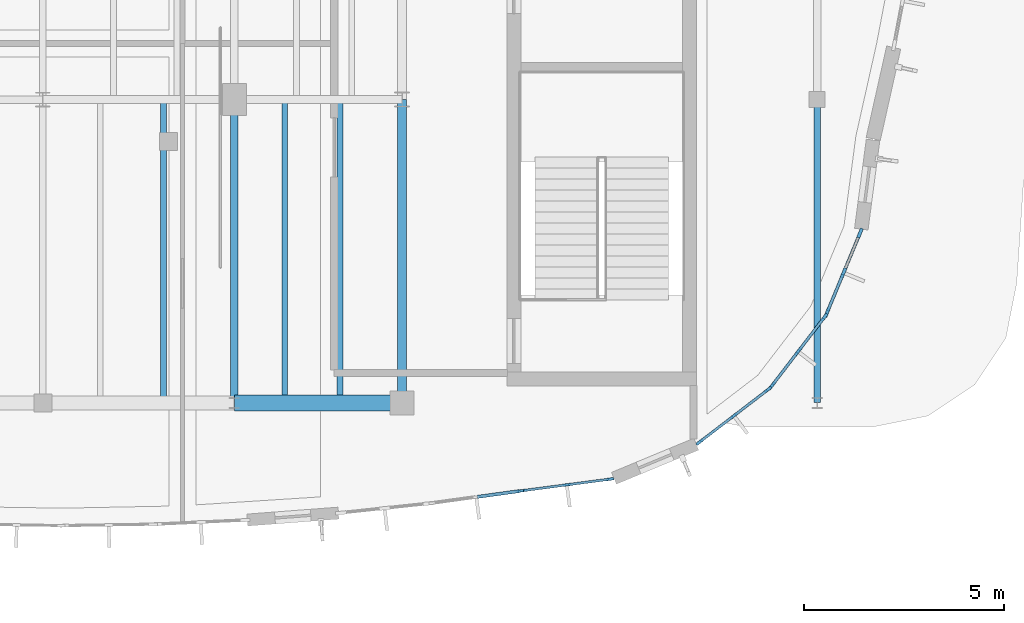
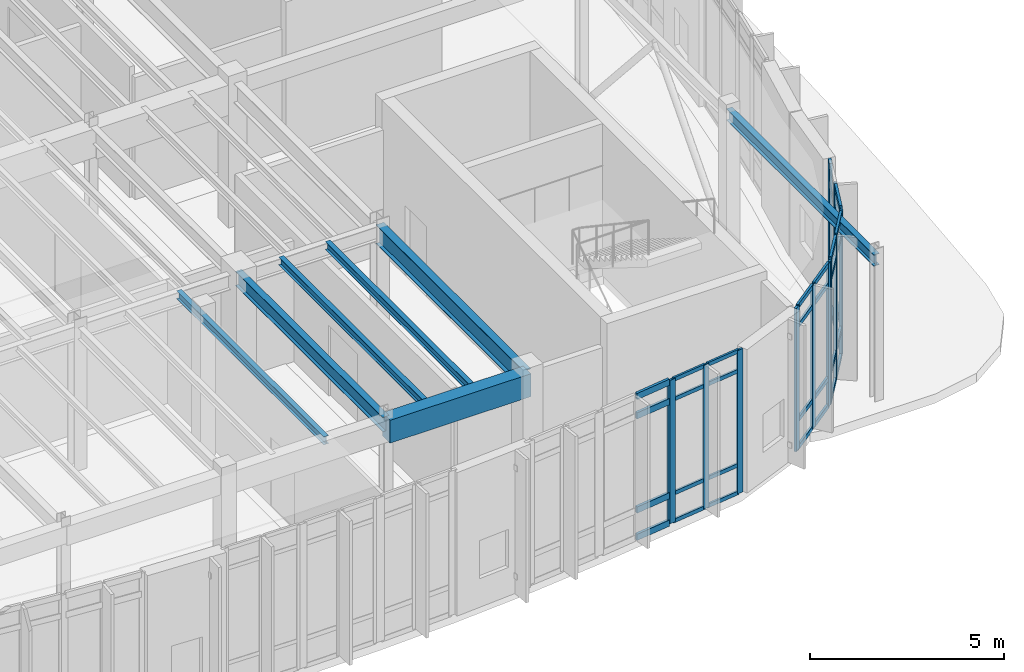
# One storey, part 57 of 120: 46 members, 7 beams, 5 elements without a shape of their own.
"""IFC4 building model written with IfcOpenShell, lengths in metres."""

from ifc_helpers import new_model, si_unit, direction, frame, origin, origin_2d, place, context, subcontext, project, spatial, rectangle, i_section, extrude, material, material_profile, profile_set, type_object, element, aggregate, save


model = new_model("IFC4")

# Units and contexts
model_context = context("Model", 3, precision=1e-05, world=origin(), true_north=direction((0.0, 1.0)))
body_context = subcontext(model_context, "Body", "Model", "MODEL_VIEW")
ifc_project = project(units=[si_unit("LENGTHUNIT", "METRE"), si_unit("AREAUNIT", "SQUARE_METRE"), si_unit("VOLUMEUNIT", "CUBIC_METRE"), si_unit("PLANEANGLEUNIT", "RADIAN"), si_unit("MASSUNIT", "GRAM", prefix="KILO")], contexts=[model_context])

# Site, building, storey
site_placement = place(None, origin())
site = spatial("IfcSite", under=ifc_project, at=site_placement, CompositionType="ELEMENT")
building_placement = place(site_placement, origin())
building = spatial("IfcBuilding", under=site, at=building_placement, Name="Corveleigh Park Community Centre", CompositionType="ELEMENT")
storey_placement = place(building_placement, origin())
storey = spatial("IfcBuildingStorey", under=building, at=storey_placement, Name="L00", CompositionType="ELEMENT", Elevation=0.0)

# Beams
ifc_material_1 = material(Name="Steel S355", Category="steel")
ifc_material_profile_1 = material_profile(ifc_material_1, i_section(OverallWidth=0.14599609375, OverallDepth=0.25146484375, WebThickness=0.006103515625, FlangeThickness=0.008544921875, at=origin_2d()), Name="UKB 254x146x31", Category="steel")
ifc_profile_set_1 = profile_set([ifc_material_profile_1], Name="Steel S355")
beam_type_1 = type_object("IfcBeamType", Name="BM-STL-UKB254x31", PredefinedType="JOIST", material=ifc_profile_set_1)
beam_1_placement = place(storey_placement, frame((152.02392578125, 58.60498046875, 4.4013671875), z_axis=(0.0, 1.0, 0.0), x_axis=(-1.0, 0.0, 0.0)))
element("IfcBeam", 1, at=beam_1_placement, inside=storey, type_object=beam_type_1, Name="Secondary floor joist", PredefinedType="JOIST", context=body_context, shape_type="SweptSolid", body=[
    extrude(i_section(OverallWidth=0.14599609375, OverallDepth=0.25146484375, WebThickness=0.006103515625, FlangeThickness=0.008544921875, at=origin_2d()), origin(), (0.0, 0.0, 1.0), 7.590087890625),
])
ifc_material_profile_2 = material_profile(ifc_material_1, i_section(OverallWidth=0.146484375, OverallDepth=0.256103515625, WebThickness=0.00634765625, FlangeThickness=0.010986328125, at=origin_2d()), Name="UKB 254x146x37", Category="steel")
ifc_profile_set_2 = profile_set([ifc_material_profile_2], Name="Steel S355")
beam_type_2 = type_object("IfcBeamType", Name="BM-STL-UKB254x37", PredefinedType="JOIST", material=ifc_profile_set_2)
for number, where, z_axis, x_axis, name in (
    (2, (155.06005859375, 58.60498046875, 4.39892578125), (0.0, 1.0, 0.0), (-1.0, 0.0, 0.0), "Secondary floor joist"),
    (3, (156.446044921875, 58.60498046875, 4.39892578125), (0.0, 1.0, 0.0), (-1.0, 0.0, 0.0), "Secondary floor joist"),
):
    element("IfcBeam", number, at=place(storey_placement, frame(where, z_axis=z_axis, x_axis=x_axis)), inside=storey, type_object=beam_type_2, Name=name, PredefinedType="JOIST", context=body_context, shape_type="SweptSolid", body=[
        extrude(i_section(OverallWidth=0.146484375, OverallDepth=0.256103515625, WebThickness=0.00634765625, FlangeThickness=0.010986328125, at=origin_2d()), origin(), (0.0, 0.0, 1.0), 7.590087890625),
    ])
ifc_material_profile_3 = material_profile(ifc_material_1, i_section(OverallWidth=0.173095703125, OverallDepth=0.36328125, WebThickness=0.009033203125, FlangeThickness=0.015625, at=origin_2d()), Name="UKB 356x171x67", Category="steel")
ifc_profile_set_3 = profile_set([ifc_material_profile_3], Name="Steel S355")
beam_type_3 = type_object("IfcBeamType", Name="BM-STL-UKB356x67", PredefinedType="BEAM", material=ifc_profile_set_3)
beam_2_placement = place(storey_placement, frame((168.39990234375, 58.60498046875, 4.34521484375), z_axis=(0.0, 1.0, 0.0), x_axis=(-1.0, 0.0, 0.0)))
element("IfcBeam", 4, at=beam_2_placement, inside=storey, type_object=beam_type_3, Name="V4 Girder Y", PredefinedType="BEAM", context=body_context, shape_type="SweptSolid", body=[
    extrude(i_section(OverallWidth=0.173095703125, OverallDepth=0.36328125, WebThickness=0.009033203125, FlangeThickness=0.015625, at=origin_2d()), origin(), (0.0, 0.0, 1.0), 7.590087890625),
])
ifc_material_profile_4 = material_profile(ifc_material_1, i_section(OverallWidth=0.1904296875, OverallDepth=0.45703125, WebThickness=0.009033203125, FlangeThickness=0.014404296875, at=origin_2d()), Name="UKB 457x191x74", Category="steel")
ifc_profile_set_4 = profile_set([ifc_material_profile_4], Name="Steel S355")
beam_type_4 = type_object("IfcBeamType", Name="BM-STL-UKB457x74", PredefinedType="BEAM", material=ifc_profile_set_4)
beam_3_placement = place(storey_placement, frame((153.800048828125, 58.60498046875, 4.298583984375), z_axis=(0.0, 1.0, 0.0), x_axis=(-1.0, 0.0, 0.0)))
element("IfcBeam", 5, at=beam_3_placement, inside=storey, type_object=beam_type_4, Name="V4 Girder Y", PredefinedType="BEAM", context=body_context, shape_type="SweptSolid", body=[
    extrude(i_section(OverallWidth=0.1904296875, OverallDepth=0.45703125, WebThickness=0.009033203125, FlangeThickness=0.014404296875, at=origin_2d()), origin(), (0.0, 0.0, 1.0), 7.590087890625),
])
ifc_material_profile_5 = material_profile(ifc_material_1, i_section(OverallWidth=0.228271484375, OverallDepth=0.607666015625, WebThickness=0.010986328125, FlangeThickness=0.017333984375, at=origin_2d()), Name="UKB 610x229x113", Category="steel")
ifc_profile_set_5 = profile_set([ifc_material_profile_5], Name="Steel S355")
beam_type_5 = type_object("IfcBeamType", Name="BM-STL-UKB610x113", PredefinedType="BEAM", material=ifc_profile_set_5)
beam_4_placement = place(storey_placement, frame((158.0, 58.60498046875, 4.22314453125), z_axis=(0.0, 1.0, 0.0), x_axis=(-1.0, 0.0, 0.0)))
element("IfcBeam", 6, at=beam_4_placement, inside=storey, type_object=beam_type_5, Name="V4 Girder Y", PredefinedType="BEAM", context=body_context, shape_type="SweptSolid", body=[
    extrude(i_section(OverallWidth=0.228271484375, OverallDepth=0.607666015625, WebThickness=0.010986328125, FlangeThickness=0.017333984375, at=origin_2d()), origin(), (0.0, 0.0, 1.0), 7.590087890625),
])

# Curtain wall, member
ifc_material_2 = material(Name="Anodised aluminium 6063-T6", Category="aluminium")
curtain_wall_type = type_object("IfcCurtainWallType", Name="CW-SYS-V4-L00", PredefinedType="NOTDEFINED", material=ifc_material_2)
curtain_wall_1_placement = place(storey_placement, origin())
curtain_wall_1 = element("IfcCurtainWall", 7, at=curtain_wall_1_placement, inside=storey, type_object=curtain_wall_type, Name="V4 L00 Curtain Wall 115", PredefinedType="NOTDEFINED")
ifc_material_profile_6 = material_profile(ifc_material_2, rectangle(XDim=0.06005859375, YDim=0.159912109375, at=origin_2d()), Name="ALU-M60x160", Category="aluminium")
ifc_profile_set_6 = profile_set([ifc_material_profile_6], Name="Anodised aluminium 6063-T6")
member_type_1 = type_object("IfcMemberType", Name="CWM-60x160", PredefinedType="MULLION", material=ifc_profile_set_6)
member_1_placement = place(storey_placement, frame((160.96337890625, 56.39501953125, 0.0), z_axis=(0.0, 0.0, 1.0), x_axis=(0.136534069852, -0.990635375791, 0.0)))
member_1 = element("IfcMember", 8, at=member_1_placement, type_object=member_type_1, Name="CW07 mullion 1", PredefinedType="MULLION", context=body_context, shape_type="SweptSolid", body=[
    extrude(rectangle(XDim=0.06005859375, YDim=0.159912109375, at=origin_2d()), origin(), (0.0, 0.0, 1.0), 4.511962890625),
])

# Curtain wall, members
curtain_wall_2_placement = place(storey_placement, origin())
curtain_wall_2 = element("IfcCurtainWall", 9, at=curtain_wall_2_placement, inside=storey, type_object=curtain_wall_type, Name="V4 L00 Curtain Wall 116", PredefinedType="NOTDEFINED")
ifc_material_profile_7 = material_profile(ifc_material_2, rectangle(XDim=0.06494140625, YDim=0.179931640625, at=origin_2d()), Name="ALU-M65x180", Category="aluminium")
ifc_profile_set_7 = profile_set([ifc_material_profile_7], Name="Anodised aluminium 6063-T6")
member_type_2 = type_object("IfcMemberType", Name="CWM-65x180", PredefinedType="MULLION", material=ifc_profile_set_7)
member_2_placement = place(storey_placement, frame((163.2138671875, 56.691650390625, 0.0), z_axis=(0.0, 0.0, 1.0), x_axis=(0.130626325881, -0.991431673383, 0.0)))
member_2 = element("IfcMember", 10, at=member_2_placement, type_object=member_type_2, Name="CW07 mullion 1", PredefinedType="MULLION", context=body_context, shape_type="SweptSolid", body=[
    extrude(rectangle(XDim=0.06494140625, YDim=0.179931640625, at=origin_2d()), origin(), (0.0, 0.0, 1.0), 4.511962890625),
])
member_3_placement = place(storey_placement, frame((162.12646484375, 56.548583984375, 0.0), z_axis=(0.0, 0.0, 1.0), x_axis=(0.130626325881, -0.991431673383, 0.0)))
member_3 = element("IfcMember", 11, at=member_3_placement, type_object=member_type_2, Name="CW07 mullion 2", PredefinedType="MULLION", context=body_context, shape_type="SweptSolid", body=[
    extrude(rectangle(XDim=0.06494140625, YDim=0.179931640625, at=origin_2d()), origin(), (0.0, 0.0, 1.0), 4.511962890625),
])
member_4_placement = place(storey_placement, frame((161.039306640625, 56.4052734375, 0.0), z_axis=(0.0, 0.0, 1.0), x_axis=(0.130626325881, -0.991431673383, 0.0)))
member_4 = element("IfcMember", 12, at=member_4_placement, type_object=member_type_2, Name="CW07 mullion 3", PredefinedType="MULLION", context=body_context, shape_type="SweptSolid", body=[
    extrude(rectangle(XDim=0.06494140625, YDim=0.179931640625, at=origin_2d()), origin(), (0.0, 0.0, 1.0), 4.511962890625),
])

curtain_wall_3_placement = place(storey_placement, origin())
curtain_wall_3 = element("IfcCurtainWall", 13, at=curtain_wall_3_placement, inside=storey, type_object=curtain_wall_type, Name="V4 L00 Curtain Wall 117", PredefinedType="NOTDEFINED")
ifc_material_profile_8 = material_profile(ifc_material_2, rectangle(XDim=0.070068359375, YDim=0.199951171875, at=origin_2d()), Name="ALU-M70x200", Category="aluminium")
ifc_profile_set_8 = profile_set([ifc_material_profile_8], Name="Anodised aluminium 6063-T6")
member_type_3 = type_object("IfcMemberType", Name="CWM-70x200", PredefinedType="MULLION", material=ifc_profile_set_8)
member_5_placement = place(storey_placement, frame((167.170166015625, 58.936767578125, 0.0), z_axis=(0.0, 0.0, 1.0), x_axis=(0.608628822511, -0.79345507523, 0.0)))
member_5 = element("IfcMember", 14, at=member_5_placement, type_object=member_type_3, Name="CW07 mullion 1", PredefinedType="MULLION", context=body_context, shape_type="SweptSolid", body=[
    extrude(rectangle(XDim=0.070068359375, YDim=0.199951171875, at=origin_2d()), origin(), (0.0, 0.0, 1.0), 4.511962890625),
])
member_6_placement = place(storey_placement, frame((166.3115234375, 58.278076171875, 0.0), z_axis=(0.0, 0.0, 1.0), x_axis=(0.608628822511, -0.79345507523, 0.0)))
member_6 = element("IfcMember", 15, at=member_6_placement, type_object=member_type_3, Name="CW07 mullion 2", PredefinedType="MULLION", context=body_context, shape_type="SweptSolid", body=[
    extrude(rectangle(XDim=0.070068359375, YDim=0.199951171875, at=origin_2d()), origin(), (0.0, 0.0, 1.0), 4.511962890625),
])
member_7_placement = place(storey_placement, frame((165.452880859375, 57.619384765625, 0.0), z_axis=(0.0, 0.0, 1.0), x_axis=(0.608628822511, -0.79345507523, 0.0)))
member_7 = element("IfcMember", 16, at=member_7_placement, type_object=member_type_3, Name="CW07 mullion 3", PredefinedType="MULLION", context=body_context, shape_type="SweptSolid", body=[
    extrude(rectangle(XDim=0.070068359375, YDim=0.199951171875, at=origin_2d()), origin(), (0.0, 0.0, 1.0), 4.511962890625),
])

curtain_wall_4_placement = place(storey_placement, origin())
curtain_wall_4 = element("IfcCurtainWall", 17, at=curtain_wall_4_placement, inside=storey, type_object=curtain_wall_type, Name="V4 L00 Curtain Wall 118", PredefinedType="NOTDEFINED")
ifc_material_profile_9 = material_profile(ifc_material_2, rectangle(XDim=0.074951171875, YDim=0.219970703125, at=origin_2d()), Name="ALU-M75x220", Category="aluminium")
ifc_profile_set_9 = profile_set([ifc_material_profile_9], Name="Anodised aluminium 6063-T6")
member_type_4 = type_object("IfcMemberType", Name="CWM-75x220", PredefinedType="MULLION", material=ifc_profile_set_9)
member_8_placement = place(storey_placement, frame((168.5791015625, 60.745361328125, 0.0), z_axis=(0.0, 0.0, 1.0), x_axis=(0.79345507523, -0.608628822511, 0.0)))
member_8 = element("IfcMember", 18, at=member_8_placement, type_object=member_type_4, Name="CW07 mullion 1", PredefinedType="MULLION", context=body_context, shape_type="SweptSolid", body=[
    extrude(rectangle(XDim=0.074951171875, YDim=0.219970703125, at=origin_2d()), origin(), (0.0, 0.0, 1.0), 4.511962890625),
])
member_9_placement = place(storey_placement, frame((167.922119140625, 59.888427734375, 0.0), z_axis=(0.0, 0.0, 1.0), x_axis=(0.79345507523, -0.608628822511, 0.0)))
member_9 = element("IfcMember", 19, at=member_9_placement, type_object=member_type_4, Name="CW07 mullion 2", PredefinedType="MULLION", context=body_context, shape_type="SweptSolid", body=[
    extrude(rectangle(XDim=0.074951171875, YDim=0.219970703125, at=origin_2d()), origin(), (0.0, 0.0, 1.0), 4.511962890625),
])
member_10_placement = place(storey_placement, frame((167.264892578125, 59.03173828125, 0.0), z_axis=(0.0, 0.0, 1.0), x_axis=(0.79345507523, -0.608628822511, 0.0)))
member_10 = element("IfcMember", 20, at=member_10_placement, type_object=member_type_4, Name="CW07 mullion 3", PredefinedType="MULLION", context=body_context, shape_type="SweptSolid", body=[
    extrude(rectangle(XDim=0.074951171875, YDim=0.219970703125, at=origin_2d()), origin(), (0.0, 0.0, 1.0), 4.511962890625),
])

curtain_wall_5_placement = place(storey_placement, origin())
curtain_wall_5 = element("IfcCurtainWall", 21, at=curtain_wall_5_placement, inside=storey, type_object=curtain_wall_type, Name="V4 L00 Curtain Wall 119", PredefinedType="NOTDEFINED")
ifc_material_profile_10 = material_profile(ifc_material_2, rectangle(XDim=0.080078125, YDim=0.25, at=origin_2d()), Name="ALU-M80x250", Category="aluminium")
ifc_profile_set_10 = profile_set([ifc_material_profile_10], Name="Anodised aluminium 6063-T6")
member_type_5 = type_object("IfcMemberType", Name="CWM-80x250", PredefinedType="MULLION", material=ifc_profile_set_10)
member_11_placement = place(storey_placement, frame((169.47265625, 62.85498046875, 0.0), z_axis=(0.0, 0.0, 1.0), x_axis=(0.923738247695, -0.383024346152, 0.0)))
member_11 = element("IfcMember", 22, at=member_11_placement, type_object=member_type_5, Name="CW07 mullion 1", PredefinedType="MULLION", context=body_context, shape_type="SweptSolid", body=[
    extrude(rectangle(XDim=0.080078125, YDim=0.25, at=origin_2d()), origin(), (0.0, 0.0, 1.0), 4.511962890625),
])
member_12_placement = place(storey_placement, frame((169.060546875, 61.861083984375, 0.0), z_axis=(0.0, 0.0, 1.0), x_axis=(0.923738247695, -0.383024346152, 0.0)))
member_12 = element("IfcMember", 23, at=member_12_placement, type_object=member_type_5, Name="CW07 mullion 2", PredefinedType="MULLION", context=body_context, shape_type="SweptSolid", body=[
    extrude(rectangle(XDim=0.080078125, YDim=0.25, at=origin_2d()), origin(), (0.0, 0.0, 1.0), 4.511962890625),
])
member_13_placement = place(storey_placement, frame((168.6484375, 60.866943359375, 0.0), z_axis=(0.0, 0.0, 1.0), x_axis=(0.923738247695, -0.383024346152, 0.0)))
member_13 = element("IfcMember", 24, at=member_13_placement, type_object=member_type_5, Name="CW07 mullion 3", PredefinedType="MULLION", context=body_context, shape_type="SweptSolid", body=[
    extrude(rectangle(XDim=0.080078125, YDim=0.25, at=origin_2d()), origin(), (0.0, 0.0, 1.0), 4.511962890625),
])

# Member
ifc_material_profile_11 = material_profile(ifc_material_2, rectangle(XDim=0.06005859375, YDim=0.1201171875, at=origin_2d()), Name="ALU-T60x120", Category="aluminium")
ifc_profile_set_11 = profile_set([ifc_material_profile_11], Name="Anodised aluminium 6063-T6")
member_type_6 = type_object("IfcMemberType", Name="CWT-60x120", PredefinedType="USERDEFINED", material=ifc_profile_set_11)
member_14_placement = place(storey_placement, frame((163.181640625, 56.6875, 0.030029296875), z_axis=(-0.991433343041, -0.13061365283, 0.0), x_axis=(0.13061365283, -0.991433343041, 0.0)))
member_14 = element("IfcMember", 25, at=member_14_placement, type_object=member_type_6, Name="CW07 transom 1.1", ObjectType="TRANSOM", PredefinedType="USERDEFINED", context=body_context, shape_type="SweptSolid", body=[
    extrude(rectangle(XDim=0.06005859375, YDim=0.1201171875, at=origin_2d()), origin(), (0.0, 0.0, 1.0), 1.03173828125),
])

member_15_placement = place(storey_placement, frame((163.181640625, 56.6875, 0.89990234375), z_axis=(-0.991433343041, -0.13061365283, 0.0), x_axis=(0.13061365283, -0.991433343041, 0.0)))
member_15 = element("IfcMember", 26, at=member_15_placement, type_object=member_type_6, Name="CW07 transom 1.2", ObjectType="TRANSOM", PredefinedType="USERDEFINED", context=body_context, shape_type="SweptSolid", body=[
    extrude(rectangle(XDim=0.06005859375, YDim=0.1201171875, at=origin_2d()), origin(), (0.0, 0.0, 1.0), 1.03173828125),
])

member_16_placement = place(storey_placement, frame((163.181640625, 56.6875, 3.862060546875), z_axis=(-0.991433343041, -0.13061365283, 0.0), x_axis=(0.13061365283, -0.991433343041, 0.0)))
member_16 = element("IfcMember", 27, at=member_16_placement, type_object=member_type_6, Name="CW07 transom 1.3", ObjectType="TRANSOM", PredefinedType="USERDEFINED", context=body_context, shape_type="SweptSolid", body=[
    extrude(rectangle(XDim=0.06005859375, YDim=0.1201171875, at=origin_2d()), origin(), (0.0, 0.0, 1.0), 1.03173828125),
])

member_17_placement = place(storey_placement, frame((163.181640625, 56.6875, 4.48193359375), z_axis=(-0.991433343041, -0.13061365283, 0.0), x_axis=(0.13061365283, -0.991433343041, 0.0)))
member_17 = element("IfcMember", 28, at=member_17_placement, type_object=member_type_6, Name="CW07 transom 1.4", ObjectType="TRANSOM", PredefinedType="USERDEFINED", context=body_context, shape_type="SweptSolid", body=[
    extrude(rectangle(XDim=0.06005859375, YDim=0.1201171875, at=origin_2d()), origin(), (0.0, 0.0, 1.0), 1.03173828125),
])

member_18_placement = place(storey_placement, frame((162.09423828125, 56.544189453125, 0.030029296875), z_axis=(-0.991429304919, -0.130644300863, 0.0), x_axis=(0.130644300863, -0.991429304919, 0.0)))
member_18 = element("IfcMember", 29, at=member_18_placement, type_object=member_type_6, Name="CW07 transom 2.1", ObjectType="TRANSOM", PredefinedType="USERDEFINED", context=body_context, shape_type="SweptSolid", body=[
    extrude(rectangle(XDim=0.06005859375, YDim=0.1201171875, at=origin_2d()), origin(), (0.0, 0.0, 1.0), 1.031494140625),
])

member_19_placement = place(storey_placement, frame((162.09423828125, 56.544189453125, 0.89990234375), z_axis=(-0.991429304919, -0.130644300863, 0.0), x_axis=(0.130644300863, -0.991429304919, 0.0)))
member_19 = element("IfcMember", 30, at=member_19_placement, type_object=member_type_6, Name="CW07 transom 2.2", ObjectType="TRANSOM", PredefinedType="USERDEFINED", context=body_context, shape_type="SweptSolid", body=[
    extrude(rectangle(XDim=0.06005859375, YDim=0.1201171875, at=origin_2d()), origin(), (0.0, 0.0, 1.0), 1.031494140625),
])

member_20_placement = place(storey_placement, frame((162.09423828125, 56.544189453125, 3.862060546875), z_axis=(-0.991429304919, -0.130644300863, 0.0), x_axis=(0.130644300863, -0.991429304919, 0.0)))
member_20 = element("IfcMember", 31, at=member_20_placement, type_object=member_type_6, Name="CW07 transom 2.3", ObjectType="TRANSOM", PredefinedType="USERDEFINED", context=body_context, shape_type="SweptSolid", body=[
    extrude(rectangle(XDim=0.06005859375, YDim=0.1201171875, at=origin_2d()), origin(), (0.0, 0.0, 1.0), 1.031494140625),
])

member_21_placement = place(storey_placement, frame((162.09423828125, 56.544189453125, 4.48193359375), z_axis=(-0.991429304919, -0.130644300863, 0.0), x_axis=(0.130644300863, -0.991429304919, 0.0)))
member_21 = element("IfcMember", 32, at=member_21_placement, type_object=member_type_6, Name="CW07 transom 2.4", ObjectType="TRANSOM", PredefinedType="USERDEFINED", context=body_context, shape_type="SweptSolid", body=[
    extrude(rectangle(XDim=0.06005859375, YDim=0.1201171875, at=origin_2d()), origin(), (0.0, 0.0, 1.0), 1.031494140625),
])

aggregate(curtain_wall_2, [member_2, member_3, member_4, member_14, member_15, member_16, member_17, member_18, member_19, member_20, member_21])

ifc_material_profile_12 = material_profile(ifc_material_2, rectangle(XDim=0.06494140625, YDim=0.139892578125, at=origin_2d()), Name="ALU-T65x140", Category="aluminium")
ifc_profile_set_12 = profile_set([ifc_material_profile_12], Name="Anodised aluminium 6063-T6")
member_type_7 = type_object("IfcMemberType", Name="CWT-65x140", PredefinedType="USERDEFINED", material=ifc_profile_set_12)
member_22_placement = place(storey_placement, frame((167.142578125, 58.915283203125, 0.032470703125), z_axis=(-0.79352871361, -0.60853280986, 0.0), x_axis=(0.60853280986, -0.79352871361, 0.0)))
member_22 = element("IfcMember", 33, at=member_22_placement, type_object=member_type_7, Name="CW07 transom 1.1", ObjectType="TRANSOM", PredefinedType="USERDEFINED", context=body_context, shape_type="SweptSolid", body=[
    extrude(rectangle(XDim=0.06494140625, YDim=0.139892578125, at=origin_2d()), origin(), (0.0, 0.0, 1.0), 1.01220703125),
])

member_23_placement = place(storey_placement, frame((167.142578125, 58.915283203125, 0.89990234375), z_axis=(-0.79352871361, -0.60853280986, 0.0), x_axis=(0.60853280986, -0.79352871361, 0.0)))
member_23 = element("IfcMember", 34, at=member_23_placement, type_object=member_type_7, Name="CW07 transom 1.2", ObjectType="TRANSOM", PredefinedType="USERDEFINED", context=body_context, shape_type="SweptSolid", body=[
    extrude(rectangle(XDim=0.06494140625, YDim=0.139892578125, at=origin_2d()), origin(), (0.0, 0.0, 1.0), 1.01220703125),
])

member_24_placement = place(storey_placement, frame((167.142578125, 58.915283203125, 3.862060546875), z_axis=(-0.79352871361, -0.60853280986, 0.0), x_axis=(0.60853280986, -0.79352871361, 0.0)))
member_24 = element("IfcMember", 35, at=member_24_placement, type_object=member_type_7, Name="CW07 transom 1.3", ObjectType="TRANSOM", PredefinedType="USERDEFINED", context=body_context, shape_type="SweptSolid", body=[
    extrude(rectangle(XDim=0.06494140625, YDim=0.139892578125, at=origin_2d()), origin(), (0.0, 0.0, 1.0), 1.01220703125),
])

member_25_placement = place(storey_placement, frame((167.142578125, 58.915283203125, 4.4794921875), z_axis=(-0.79352871361, -0.60853280986, 0.0), x_axis=(0.60853280986, -0.79352871361, 0.0)))
member_25 = element("IfcMember", 36, at=member_25_placement, type_object=member_type_7, Name="CW07 transom 1.4", ObjectType="TRANSOM", PredefinedType="USERDEFINED", context=body_context, shape_type="SweptSolid", body=[
    extrude(rectangle(XDim=0.06494140625, YDim=0.139892578125, at=origin_2d()), origin(), (0.0, 0.0, 1.0), 1.01220703125),
])

member_26_placement = place(storey_placement, frame((166.28369140625, 58.256591796875, 0.032470703125), z_axis=(-0.79352871361, -0.60853280986, 0.0), x_axis=(0.60853280986, -0.79352871361, 0.0)))
member_26 = element("IfcMember", 37, at=member_26_placement, type_object=member_type_7, Name="CW07 transom 2.1", ObjectType="TRANSOM", PredefinedType="USERDEFINED", context=body_context, shape_type="SweptSolid", body=[
    extrude(rectangle(XDim=0.06494140625, YDim=0.139892578125, at=origin_2d()), origin(), (0.0, 0.0, 1.0), 1.01220703125),
])

member_27_placement = place(storey_placement, frame((166.28369140625, 58.256591796875, 0.89990234375), z_axis=(-0.79352871361, -0.60853280986, 0.0), x_axis=(0.60853280986, -0.79352871361, 0.0)))
member_27 = element("IfcMember", 38, at=member_27_placement, type_object=member_type_7, Name="CW07 transom 2.2", ObjectType="TRANSOM", PredefinedType="USERDEFINED", context=body_context, shape_type="SweptSolid", body=[
    extrude(rectangle(XDim=0.06494140625, YDim=0.139892578125, at=origin_2d()), origin(), (0.0, 0.0, 1.0), 1.01220703125),
])

member_28_placement = place(storey_placement, frame((166.28369140625, 58.256591796875, 3.862060546875), z_axis=(-0.79352871361, -0.60853280986, 0.0), x_axis=(0.60853280986, -0.79352871361, 0.0)))
member_28 = element("IfcMember", 39, at=member_28_placement, type_object=member_type_7, Name="CW07 transom 2.3", ObjectType="TRANSOM", PredefinedType="USERDEFINED", context=body_context, shape_type="SweptSolid", body=[
    extrude(rectangle(XDim=0.06494140625, YDim=0.139892578125, at=origin_2d()), origin(), (0.0, 0.0, 1.0), 1.01220703125),
])

member_29_placement = place(storey_placement, frame((166.28369140625, 58.256591796875, 4.4794921875), z_axis=(-0.79352871361, -0.60853280986, 0.0), x_axis=(0.60853280986, -0.79352871361, 0.0)))
member_29 = element("IfcMember", 40, at=member_29_placement, type_object=member_type_7, Name="CW07 transom 2.4", ObjectType="TRANSOM", PredefinedType="USERDEFINED", context=body_context, shape_type="SweptSolid", body=[
    extrude(rectangle(XDim=0.06494140625, YDim=0.139892578125, at=origin_2d()), origin(), (0.0, 0.0, 1.0), 1.01220703125),
])

aggregate(curtain_wall_3, [member_5, member_6, member_7, member_22, member_23, member_24, member_25, member_26, member_27, member_28, member_29])

ifc_material_profile_13 = material_profile(ifc_material_2, rectangle(XDim=0.070068359375, YDim=0.155029296875, at=origin_2d()), Name="ALU-T70x155", Category="aluminium")
ifc_profile_set_13 = profile_set([ifc_material_profile_13], Name="Anodised aluminium 6063-T6")
member_type_8 = type_object("IfcMemberType", Name="CWT-70x155", PredefinedType="USERDEFINED", material=ifc_profile_set_13)
member_30_placement = place(storey_placement, frame((168.556396484375, 60.715576171875, 0.034912109375), z_axis=(-0.608594745565, -0.79348121318, 0.0), x_axis=(0.79348121318, -0.608594745565, 0.0)))
member_30 = element("IfcMember", 41, at=member_30_placement, type_object=member_type_8, Name="CW07 transom 1.1", ObjectType="TRANSOM", PredefinedType="USERDEFINED", context=body_context, shape_type="SweptSolid", body=[
    extrude(rectangle(XDim=0.070068359375, YDim=0.155029296875, at=origin_2d()), origin(), (0.0, 0.0, 1.0), 1.0048828125),
])

member_31_placement = place(storey_placement, frame((168.556396484375, 60.715576171875, 0.89990234375), z_axis=(-0.608594745565, -0.79348121318, 0.0), x_axis=(0.79348121318, -0.608594745565, 0.0)))
member_31 = element("IfcMember", 42, at=member_31_placement, type_object=member_type_8, Name="CW07 transom 1.2", ObjectType="TRANSOM", PredefinedType="USERDEFINED", context=body_context, shape_type="SweptSolid", body=[
    extrude(rectangle(XDim=0.070068359375, YDim=0.155029296875, at=origin_2d()), origin(), (0.0, 0.0, 1.0), 1.0048828125),
])

member_32_placement = place(storey_placement, frame((168.556396484375, 60.715576171875, 3.862060546875), z_axis=(-0.608594745565, -0.79348121318, 0.0), x_axis=(0.79348121318, -0.608594745565, 0.0)))
member_32 = element("IfcMember", 43, at=member_32_placement, type_object=member_type_8, Name="CW07 transom 1.3", ObjectType="TRANSOM", PredefinedType="USERDEFINED", context=body_context, shape_type="SweptSolid", body=[
    extrude(rectangle(XDim=0.070068359375, YDim=0.155029296875, at=origin_2d()), origin(), (0.0, 0.0, 1.0), 1.0048828125),
])

member_33_placement = place(storey_placement, frame((168.556396484375, 60.715576171875, 4.47705078125), z_axis=(-0.608594745565, -0.79348121318, 0.0), x_axis=(0.79348121318, -0.608594745565, 0.0)))
member_33 = element("IfcMember", 44, at=member_33_placement, type_object=member_type_8, Name="CW07 transom 1.4", ObjectType="TRANSOM", PredefinedType="USERDEFINED", context=body_context, shape_type="SweptSolid", body=[
    extrude(rectangle(XDim=0.070068359375, YDim=0.155029296875, at=origin_2d()), origin(), (0.0, 0.0, 1.0), 1.0048828125),
])

member_34_placement = place(storey_placement, frame((167.899169921875, 59.858642578125, 0.034912109375), z_axis=(-0.608712085113, -0.793391200756, 0.0), x_axis=(0.793391200756, -0.608712085113, 0.0)))
member_34 = element("IfcMember", 45, at=member_34_placement, type_object=member_type_8, Name="CW07 transom 2.1", ObjectType="TRANSOM", PredefinedType="USERDEFINED", context=body_context, shape_type="SweptSolid", body=[
    extrude(rectangle(XDim=0.070068359375, YDim=0.155029296875, at=origin_2d()), origin(), (0.0, 0.0, 1.0), 1.004638671875),
])

member_35_placement = place(storey_placement, frame((167.899169921875, 59.858642578125, 0.89990234375), z_axis=(-0.608712085113, -0.793391200756, 0.0), x_axis=(0.793391200756, -0.608712085113, 0.0)))
member_35 = element("IfcMember", 46, at=member_35_placement, type_object=member_type_8, Name="CW07 transom 2.2", ObjectType="TRANSOM", PredefinedType="USERDEFINED", context=body_context, shape_type="SweptSolid", body=[
    extrude(rectangle(XDim=0.070068359375, YDim=0.155029296875, at=origin_2d()), origin(), (0.0, 0.0, 1.0), 1.004638671875),
])

member_36_placement = place(storey_placement, frame((167.899169921875, 59.858642578125, 3.862060546875), z_axis=(-0.608712085113, -0.793391200756, 0.0), x_axis=(0.793391200756, -0.608712085113, 0.0)))
member_36 = element("IfcMember", 47, at=member_36_placement, type_object=member_type_8, Name="CW07 transom 2.3", ObjectType="TRANSOM", PredefinedType="USERDEFINED", context=body_context, shape_type="SweptSolid", body=[
    extrude(rectangle(XDim=0.070068359375, YDim=0.155029296875, at=origin_2d()), origin(), (0.0, 0.0, 1.0), 1.004638671875),
])

member_37_placement = place(storey_placement, frame((167.899169921875, 59.858642578125, 4.47705078125), z_axis=(-0.608712085113, -0.793391200756, 0.0), x_axis=(0.793391200756, -0.608712085113, 0.0)))
member_37 = element("IfcMember", 48, at=member_37_placement, type_object=member_type_8, Name="CW07 transom 2.4", ObjectType="TRANSOM", PredefinedType="USERDEFINED", context=body_context, shape_type="SweptSolid", body=[
    extrude(rectangle(XDim=0.070068359375, YDim=0.155029296875, at=origin_2d()), origin(), (0.0, 0.0, 1.0), 1.004638671875),
])

aggregate(curtain_wall_4, [member_8, member_9, member_10, member_30, member_31, member_32, member_33, member_34, member_35, member_36, member_37])

ifc_material_profile_14 = material_profile(ifc_material_2, rectangle(XDim=0.074951171875, YDim=0.175048828125, at=origin_2d()), Name="ALU-T75x175", Category="aluminium")
ifc_profile_set_14 = profile_set([ifc_material_profile_14], Name="Anodised aluminium 6063-T6")
member_type_9 = type_object("IfcMemberType", Name="CWT-75x175", PredefinedType="USERDEFINED", material=ifc_profile_set_14)
member_38_placement = place(storey_placement, frame((169.457275390625, 62.818115234375, 0.03759765625), z_axis=(-0.382856879631, -0.923807669225, 0.0), x_axis=(0.923807669225, -0.382856879631, 0.0)))
member_38 = element("IfcMember", 49, at=member_38_placement, type_object=member_type_9, Name="CW07 transom 1.1", ObjectType="TRANSOM", PredefinedType="USERDEFINED", context=body_context, shape_type="SweptSolid", body=[
    extrude(rectangle(XDim=0.074951171875, YDim=0.175048828125, at=origin_2d()), origin(), (0.0, 0.0, 1.0), 0.99609375),
])

member_39_placement = place(storey_placement, frame((169.045166015625, 61.823974609375, 0.03759765625), z_axis=(-0.383066029412, -0.923720962797, 0.0), x_axis=(0.923720962797, -0.383066029412, 0.0)))
member_39 = element("IfcMember", 50, at=member_39_placement, type_object=member_type_9, Name="CW07 transom 2.1", ObjectType="TRANSOM", PredefinedType="USERDEFINED", context=body_context, shape_type="SweptSolid", body=[
    extrude(rectangle(XDim=0.074951171875, YDim=0.175048828125, at=origin_2d()), origin(), (0.0, 0.0, 1.0), 0.99609375),
])

member_40_placement = place(storey_placement, frame((169.045166015625, 61.823974609375, 0.89990234375), z_axis=(-0.383066029412, -0.923720962797, 0.0), x_axis=(0.923720962797, -0.383066029412, 0.0)))
member_40 = element("IfcMember", 51, at=member_40_placement, type_object=member_type_9, Name="CW07 transom 2.2", ObjectType="TRANSOM", PredefinedType="USERDEFINED", context=body_context, shape_type="SweptSolid", body=[
    extrude(rectangle(XDim=0.074951171875, YDim=0.175048828125, at=origin_2d()), origin(), (0.0, 0.0, 1.0), 0.99609375),
])

member_41_placement = place(storey_placement, frame((169.045166015625, 61.823974609375, 3.862060546875), z_axis=(-0.383066029412, -0.923720962797, 0.0), x_axis=(0.923720962797, -0.383066029412, 0.0)))
member_41 = element("IfcMember", 52, at=member_41_placement, type_object=member_type_9, Name="CW07 transom 2.3", ObjectType="TRANSOM", PredefinedType="USERDEFINED", context=body_context, shape_type="SweptSolid", body=[
    extrude(rectangle(XDim=0.074951171875, YDim=0.175048828125, at=origin_2d()), origin(), (0.0, 0.0, 1.0), 0.99609375),
])

member_42_placement = place(storey_placement, frame((169.045166015625, 61.823974609375, 4.474609375), z_axis=(-0.383066029412, -0.923720962797, 0.0), x_axis=(0.923720962797, -0.383066029412, 0.0)))
member_42 = element("IfcMember", 53, at=member_42_placement, type_object=member_type_9, Name="CW07 transom 2.4", ObjectType="TRANSOM", PredefinedType="USERDEFINED", context=body_context, shape_type="SweptSolid", body=[
    extrude(rectangle(XDim=0.074951171875, YDim=0.175048828125, at=origin_2d()), origin(), (0.0, 0.0, 1.0), 0.99609375),
])

aggregate(curtain_wall_5, [member_11, member_12, member_13, member_38, member_39, member_40, member_41, member_42])

ifc_material_profile_15 = material_profile(ifc_material_2, rectangle(XDim=0.080078125, YDim=0.195068359375, at=origin_2d()), Name="ALU-T80x195", Category="aluminium")
ifc_profile_set_15 = profile_set([ifc_material_profile_15], Name="Anodised aluminium 6063-T6")
member_type_10 = type_object("IfcMemberType", Name="CWT-80x195", PredefinedType="USERDEFINED", material=ifc_profile_set_15)
member_43_placement = place(storey_placement, frame((160.93359375, 56.390869140625, 0.0400390625), z_axis=(-0.990626522422, -0.136598290889, 0.0), x_axis=(0.136598290889, -0.990626522422, 0.0)))
member_43 = element("IfcMember", 54, at=member_43_placement, type_object=member_type_10, Name="CW07 transom 1.1", ObjectType="TRANSOM", PredefinedType="USERDEFINED", context=body_context, shape_type="SweptSolid", body=[
    extrude(rectangle(XDim=0.080078125, YDim=0.195068359375, at=origin_2d()), origin(), (0.0, 0.0, 1.0), 1.056396484375),
])

member_44_placement = place(storey_placement, frame((160.93359375, 56.390869140625, 0.89990234375), z_axis=(-0.990626522422, -0.136598290889, 0.0), x_axis=(0.136598290889, -0.990626522422, 0.0)))
member_44 = element("IfcMember", 55, at=member_44_placement, type_object=member_type_10, Name="CW07 transom 1.2", ObjectType="TRANSOM", PredefinedType="USERDEFINED", context=body_context, shape_type="SweptSolid", body=[
    extrude(rectangle(XDim=0.080078125, YDim=0.195068359375, at=origin_2d()), origin(), (0.0, 0.0, 1.0), 1.056396484375),
])

member_45_placement = place(storey_placement, frame((160.93359375, 56.390869140625, 3.862060546875), z_axis=(-0.990626522422, -0.136598290889, 0.0), x_axis=(0.136598290889, -0.990626522422, 0.0)))
member_45 = element("IfcMember", 56, at=member_45_placement, type_object=member_type_10, Name="CW07 transom 1.3", ObjectType="TRANSOM", PredefinedType="USERDEFINED", context=body_context, shape_type="SweptSolid", body=[
    extrude(rectangle(XDim=0.080078125, YDim=0.195068359375, at=origin_2d()), origin(), (0.0, 0.0, 1.0), 1.056396484375),
])

member_46_placement = place(storey_placement, frame((160.93359375, 56.390869140625, 4.471923828125), z_axis=(-0.990626522422, -0.136598290889, 0.0), x_axis=(0.136598290889, -0.990626522422, 0.0)))
member_46 = element("IfcMember", 57, at=member_46_placement, type_object=member_type_10, Name="CW07 transom 1.4", ObjectType="TRANSOM", PredefinedType="USERDEFINED", context=body_context, shape_type="SweptSolid", body=[
    extrude(rectangle(XDim=0.080078125, YDim=0.195068359375, at=origin_2d()), origin(), (0.0, 0.0, 1.0), 1.056396484375),
])

aggregate(curtain_wall_1, [member_1, member_43, member_44, member_45, member_46])

# Beam
ifc_material_3 = material(Name="Concrete C40/50", Category="concrete")
ifc_material_profile_16 = material_profile(ifc_material_3, rectangle(XDim=0.39990234375, YDim=0.719970703125, at=origin_2d()), Name="RC-400x720", Category="concrete")
ifc_profile_set_16 = profile_set([ifc_material_profile_16], Name="Concrete C40/50")
beam_type_6 = type_object("IfcBeamType", Name="SP-RC-400x720", PredefinedType="SPANDREL", material=ifc_profile_set_16)
beam_5_placement = place(storey_placement, frame((153.804931640625, 58.60009765625, 4.1669921875), z_axis=(1.0, 0.0, 0.0), x_axis=(0.0, 1.0, 0.0)))
element("IfcBeam", 58, at=beam_5_placement, inside=storey, type_object=beam_type_6, Name="V4 Girder X", PredefinedType="SPANDREL", context=body_context, shape_type="SweptSolid", body=[
    extrude(rectangle(XDim=0.39990234375, YDim=0.719970703125, at=origin_2d()), origin(), (0.0, 0.0, 1.0), 4.190185546875),
])

save(model, "model.ifc")
